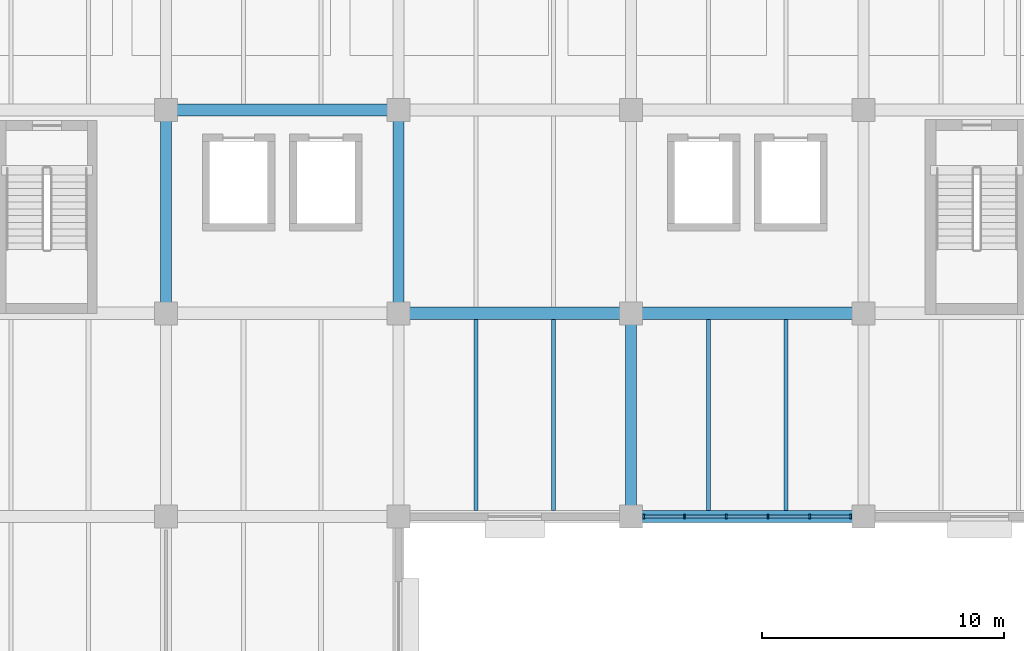
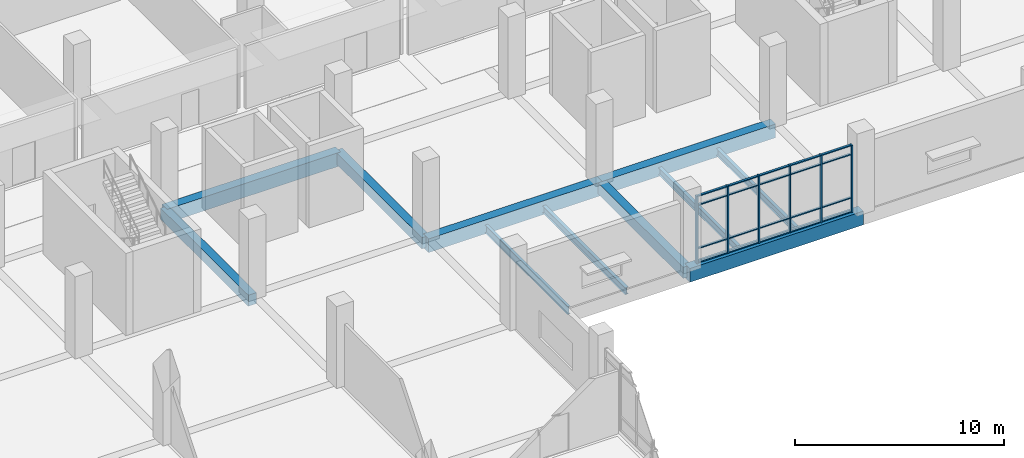
# One storey, part 72 of 152: 26 members, 11 beams, 1 element without a shape of its own.
"""IFC4 building model written with IfcOpenShell, lengths in metres."""

from ifc_helpers import new_model, si_unit, direction, frame, origin, origin_2d, place, context, subcontext, project, spatial, rectangle, i_section, extrude, material, material_profile, profile_set, type_object, element, aggregate, save


model = new_model("IFC4")

# Units and contexts
model_context = context("Model", 3, precision=1e-05, world=origin(), true_north=direction((0.0, 1.0)))
body_context = subcontext(model_context, "Body", "Model", "MODEL_VIEW")
ifc_project = project(units=[si_unit("LENGTHUNIT", "METRE"), si_unit("AREAUNIT", "SQUARE_METRE"), si_unit("VOLUMEUNIT", "CUBIC_METRE"), si_unit("PLANEANGLEUNIT", "RADIAN"), si_unit("MASSUNIT", "GRAM", prefix="KILO")], contexts=[model_context])

# Site, building, storey
site_placement = place(None, origin())
site = spatial("IfcSite", under=ifc_project, at=site_placement, CompositionType="ELEMENT")
building_placement = place(site_placement, origin())
building = spatial("IfcBuilding", under=site, at=building_placement, Name="Oolite Switchyard Hospital", CompositionType="ELEMENT")
storey_placement = place(building_placement, frame((0.0, 0.0, 5.10009765625)))
storey = spatial("IfcBuildingStorey", under=building, at=storey_placement, Name="L01", CompositionType="ELEMENT", Elevation=5.10009765625)

# Beams
ifc_material_1 = material(Name="Concrete C40/50", Category="concrete")
ifc_material_profile_1 = material_profile(ifc_material_1, rectangle(XDim=0.449951171875, YDim=0.64990234375, at=origin_2d()), Name="RCB450X650")
ifc_profile_set_1 = profile_set([ifc_material_profile_1], Name="Concrete C40/50")
beam_type_1 = type_object("IfcBeamType", Name="BM-RC450X650", PredefinedType="BEAM", material=ifc_profile_set_1)
for number, where, z_axis, x_axis, name in (
    (1, (163.199951171875, 109.199951171875, -0.3251953125), (0.0, 1.0, 0.0), (-1.0, 0.0, 0.0), "L01 Y-Girder 496"),
    (2, (172.800048828125, 109.199951171875, -0.3251953125), (0.0, 1.0, 0.0), (-1.0, 0.0, 0.0), "L01 Y-Girder 506"),
):
    element("IfcBeam", number, at=place(storey_placement, frame(where, z_axis=z_axis, x_axis=x_axis)), inside=storey, type_object=beam_type_1, Name=name, PredefinedType="BEAM", context=body_context, shape_type="SweptSolid", body=[
        extrude(rectangle(XDim=0.449951171875, YDim=0.64990234375, at=origin_2d()), origin(), (0.0, 0.0, 1.0), 8.400146484375),
    ])
beam_1_placement = place(storey_placement, frame((182.39990234375, 100.800048828125, -0.3251953125), z_axis=(0.0, 1.0, 0.0), x_axis=(-1.0, 0.0, 0.0)))
element("IfcBeam", 3, at=beam_1_placement, inside=storey, type_object=beam_type_1, Name="L01 Y-Girder 519", PredefinedType="BEAM", context=body_context, shape_type="SweptSolid", body=[
    extrude(rectangle(XDim=0.449951171875, YDim=0.64990234375, at=origin_2d()), origin(), (0.0, 0.0, 1.0), 8.39990234375),
])
ifc_material_profile_2 = material_profile(ifc_material_1, rectangle(XDim=0.5, YDim=0.800048828125, at=origin_2d()), Name="RCB500X800")
ifc_profile_set_2 = profile_set([ifc_material_profile_2], Name="Concrete C40/50")
beam_type_2 = type_object("IfcBeamType", Name="BM-RC500X800", PredefinedType="BEAM", material=ifc_profile_set_2)
beam_2_placement = place(storey_placement, frame((182.39990234375, 100.800048828125, -0.400146484375), z_axis=(1.0, 0.0, 0.0), x_axis=(0.0, 1.0, 0.0)))
element("IfcBeam", 4, at=beam_2_placement, inside=storey, type_object=beam_type_2, Name="L01 X-Girder 216", PredefinedType="BEAM", context=body_context, shape_type="SweptSolid", body=[
    extrude(rectangle(XDim=0.5, YDim=0.800048828125, at=origin_2d()), origin(), (0.0, 0.0, 1.0), 9.60009765625),
])
beam_3_placement = place(storey_placement, frame((172.800048828125, 109.199951171875, -0.400146484375), z_axis=(1.0, 0.0, 0.0), x_axis=(0.0, 1.0, 0.0)))
element("IfcBeam", 5, at=beam_3_placement, inside=storey, type_object=beam_type_2, Name="L01 X-Girder 235", PredefinedType="BEAM", context=body_context, shape_type="SweptSolid", body=[
    extrude(rectangle(XDim=0.5, YDim=0.800048828125, at=origin_2d()), origin(), (0.0, 0.0, 1.0), 9.599853515625),
])
for number, where, z_axis, x_axis, name in (
    (6, (182.39990234375, 109.199951171875, -0.400146484375), (1.0, 0.0, 0.0), (0.0, 1.0, 0.0), "L01 X-Girder 236"),
    (7, (163.199951171875, 117.60009765625, -0.400146484375), (1.0, 0.0, 0.0), (0.0, 1.0, 0.0), "L01 X-Girder 250"),
):
    element("IfcBeam", number, at=place(storey_placement, frame(where, z_axis=z_axis, x_axis=x_axis)), inside=storey, type_object=beam_type_2, Name=name, PredefinedType="BEAM", context=body_context, shape_type="SweptSolid", body=[
        extrude(rectangle(XDim=0.5, YDim=0.800048828125, at=origin_2d()), origin(), (0.0, 0.0, 1.0), 9.60009765625),
    ])
ifc_material_2 = material(Name="Steel ASTM A992 Grade 50", Category="steel")
ifc_material_profile_3 = material_profile(ifc_material_2, i_section(OverallWidth=0.177978515625, OverallDepth=0.403076171875, WebThickness=0.008056640625, FlangeThickness=0.010986328125, at=origin_2d()), Name="W16X36")
ifc_profile_set_3 = profile_set([ifc_material_profile_3], Name="Steel ASTM A992 Grade 50")
beam_type_3 = type_object("IfcBeamType", Name="BM-W16X36", PredefinedType="JOIST", material=ifc_profile_set_3)
beam_4_placement = place(storey_placement, frame((188.800048828125, 101.050048828125, -0.47705078125), z_axis=(0.0, 1.0, 0.0), x_axis=(-1.0, 0.0, 0.0)))
element("IfcBeam", 8, at=beam_4_placement, inside=storey, type_object=beam_type_3, Name="L01 Secondary Steel Joist 945", PredefinedType="JOIST", context=body_context, shape_type="SweptSolid", body=[
    extrude(i_section(OverallWidth=0.177978515625, OverallDepth=0.403076171875, WebThickness=0.008056640625, FlangeThickness=0.010986328125, at=origin_2d()), origin(), (0.0, 0.0, 1.0), 7.89990234375),
])
ifc_material_profile_4 = material_profile(ifc_material_2, i_section(OverallWidth=0.179931640625, OverallDepth=0.4130859375, WebThickness=0.010009765625, FlangeThickness=0.01611328125, at=origin_2d()), Name="W16X50")
ifc_profile_set_4 = profile_set([ifc_material_profile_4], Name="Steel ASTM A992 Grade 50")
beam_type_4 = type_object("IfcBeamType", Name="BM-W16X50", PredefinedType="JOIST", material=ifc_profile_set_4)
for number, where, z_axis, x_axis, name in (
    (9, (179.199951171875, 101.050048828125, -0.482177734375), (0.0, 1.0, 0.0), (-1.0, 0.0, 0.0), "L01 Secondary Steel Joist 921"),
    (10, (185.60009765625, 101.050048828125, -0.482177734375), (0.0, 1.0, 0.0), (-1.0, 0.0, 0.0), "L01 Secondary Steel Joist 944"),
):
    element("IfcBeam", number, at=place(storey_placement, frame(where, z_axis=z_axis, x_axis=x_axis)), inside=storey, type_object=beam_type_4, Name=name, PredefinedType="JOIST", context=body_context, shape_type="SweptSolid", body=[
        extrude(i_section(OverallWidth=0.179931640625, OverallDepth=0.4130859375, WebThickness=0.010009765625, FlangeThickness=0.01611328125, at=origin_2d()), origin(), (0.0, 0.0, 1.0), 7.89990234375),
    ])
ifc_material_profile_5 = material_profile(ifc_material_2, i_section(OverallWidth=0.153076171875, OverallDepth=0.455078125, WebThickness=0.008056640625, FlangeThickness=0.012939453125, at=origin_2d()), Name="W18X40")
ifc_profile_set_5 = profile_set([ifc_material_profile_5], Name="Steel ASTM A992 Grade 50")
beam_type_5 = type_object("IfcBeamType", Name="BM-W18X40", PredefinedType="JOIST", material=ifc_profile_set_5)
beam_5_placement = place(storey_placement, frame((176.0, 101.050048828125, -0.503173828125), z_axis=(0.0, 1.0, 0.0), x_axis=(-1.0, 0.0, 0.0)))
element("IfcBeam", 11, at=beam_5_placement, inside=storey, type_object=beam_type_5, Name="L01 Secondary Steel Joist 920", PredefinedType="JOIST", context=body_context, shape_type="SweptSolid", body=[
    extrude(i_section(OverallWidth=0.153076171875, OverallDepth=0.455078125, WebThickness=0.008056640625, FlangeThickness=0.012939453125, at=origin_2d()), origin(), (0.0, 0.0, 1.0), 7.89990234375),
])

# Curtain wall, members
ifc_material_3 = material(Name="Thermally broken aluminum frame with laminated impact glazing", Category="aluminium")
curtain_wall_type = type_object("IfcCurtainWallType", Name="CW-UNIT-96X48", PredefinedType="USERDEFINED", material=ifc_material_3)
curtain_wall_placement = place(storey_placement, origin())
curtain_wall = element("IfcCurtainWall", 12, at=curtain_wall_placement, inside=storey, type_object=curtain_wall_type, Name="L01 Unitised Curtain Wall 144", ObjectType="UNITISED", PredefinedType="USERDEFINED")
ifc_material_4 = material(Name="Aluminium 6063-T6", Category="aluminium")
ifc_material_profile_6 = material_profile(ifc_material_4, rectangle(XDim=0.179931640625, YDim=0.070068359375, at=origin_2d()), Name="CWM70X180")
ifc_profile_set_6 = profile_set([ifc_material_profile_6], Name="Aluminium 6063-T6")
member_type_1 = type_object("IfcMemberType", Name="CW-MUL-220", PredefinedType="MULLION", material=ifc_profile_set_6)
member_1_placement = place(storey_placement, frame((191.47509765625, 100.800048828125, 0.0), z_axis=(0.0, 0.0, 1.0), x_axis=(0.0, -1.0, 0.0)))
member_1 = element("IfcMember", 13, at=member_1_placement, type_object=member_type_1, Name="CW-02 mullion 1", PredefinedType="MULLION", context=body_context, shape_type="SweptSolid", body=[
    extrude(rectangle(XDim=0.179931640625, YDim=0.070068359375, at=origin_2d()), origin(), (0.0, 0.0, 1.0), 3.93994140625),
])
member_2_placement = place(storey_placement, frame((189.785888671875, 100.800048828125, 0.0), z_axis=(0.0, 0.0, 1.0), x_axis=(0.0, -1.0, 0.0)))
member_2 = element("IfcMember", 14, at=member_2_placement, type_object=member_type_1, Name="CW-02 mullion 2", PredefinedType="MULLION", context=body_context, shape_type="SweptSolid", body=[
    extrude(rectangle(XDim=0.179931640625, YDim=0.070068359375, at=origin_2d()), origin(), (0.0, 0.0, 1.0), 3.93994140625),
])
member_3_placement = place(storey_placement, frame((188.06201171875, 100.800048828125, 0.0), z_axis=(0.0, 0.0, 1.0), x_axis=(0.0, -1.0, 0.0)))
member_3 = element("IfcMember", 15, at=member_3_placement, type_object=member_type_1, Name="CW-02 mullion 3", PredefinedType="MULLION", context=body_context, shape_type="SweptSolid", body=[
    extrude(rectangle(XDim=0.179931640625, YDim=0.070068359375, at=origin_2d()), origin(), (0.0, 0.0, 1.0), 3.93994140625),
])
member_4_placement = place(storey_placement, frame((186.337890625, 100.800048828125, 0.0), z_axis=(0.0, 0.0, 1.0), x_axis=(0.0, -1.0, 0.0)))
member_4 = element("IfcMember", 16, at=member_4_placement, type_object=member_type_1, Name="CW-02 mullion 4", PredefinedType="MULLION", context=body_context, shape_type="SweptSolid", body=[
    extrude(rectangle(XDim=0.179931640625, YDim=0.070068359375, at=origin_2d()), origin(), (0.0, 0.0, 1.0), 3.93994140625),
])
member_5_placement = place(storey_placement, frame((184.614013671875, 100.800048828125, 0.0), z_axis=(0.0, 0.0, 1.0), x_axis=(0.0, -1.0, 0.0)))
member_5 = element("IfcMember", 17, at=member_5_placement, type_object=member_type_1, Name="CW-02 mullion 5", PredefinedType="MULLION", context=body_context, shape_type="SweptSolid", body=[
    extrude(rectangle(XDim=0.179931640625, YDim=0.070068359375, at=origin_2d()), origin(), (0.0, 0.0, 1.0), 3.93994140625),
])
member_6_placement = place(storey_placement, frame((182.925048828125, 100.800048828125, 0.0), z_axis=(0.0, 0.0, 1.0), x_axis=(0.0, -1.0, 0.0)))
member_6 = element("IfcMember", 18, at=member_6_placement, type_object=member_type_1, Name="CW-02 mullion 6", PredefinedType="MULLION", context=body_context, shape_type="SweptSolid", body=[
    extrude(rectangle(XDim=0.179931640625, YDim=0.070068359375, at=origin_2d()), origin(), (0.0, 0.0, 1.0), 3.93994140625),
])
ifc_material_profile_7 = material_profile(ifc_material_4, rectangle(XDim=0.1201171875, YDim=0.06005859375, at=origin_2d()), Name="CWT60X120")
ifc_profile_set_7 = profile_set([ifc_material_profile_7], Name="Aluminium 6063-T6")
member_type_2 = type_object("IfcMemberType", Name="CW-TRN-150", PredefinedType="USERDEFINED", material=ifc_profile_set_7)
member_7_placement = place(storey_placement, frame((191.43994140625, 100.800048828125, 0.02978515625), z_axis=(-1.0, 0.0, 0.0), x_axis=(0.0, -1.0, 0.0)))
member_7 = element("IfcMember", 19, at=member_7_placement, type_object=member_type_2, Name="CW-02 transom 1.1", ObjectType="TRANSOM", PredefinedType="USERDEFINED", context=body_context, shape_type="SweptSolid", body=[
    extrude(rectangle(XDim=0.1201171875, YDim=0.06005859375, at=origin_2d()), origin(), (0.0, 0.0, 1.0), 1.618896484375),
])
member_8_placement = place(storey_placement, frame((191.43994140625, 100.800048828125, 0.849853515625), z_axis=(-1.0, 0.0, 0.0), x_axis=(0.0, -1.0, 0.0)))
member_8 = element("IfcMember", 20, at=member_8_placement, type_object=member_type_2, Name="CW-02 transom 1.2", ObjectType="TRANSOM", PredefinedType="USERDEFINED", context=body_context, shape_type="SweptSolid", body=[
    extrude(rectangle(XDim=0.1201171875, YDim=0.06005859375, at=origin_2d()), origin(), (0.0, 0.0, 1.0), 1.618896484375),
])
member_9_placement = place(storey_placement, frame((191.43994140625, 100.800048828125, 3.389892578125), z_axis=(-1.0, 0.0, 0.0), x_axis=(0.0, -1.0, 0.0)))
member_9 = element("IfcMember", 21, at=member_9_placement, type_object=member_type_2, Name="CW-02 transom 1.3", ObjectType="TRANSOM", PredefinedType="USERDEFINED", context=body_context, shape_type="SweptSolid", body=[
    extrude(rectangle(XDim=0.1201171875, YDim=0.06005859375, at=origin_2d()), origin(), (0.0, 0.0, 1.0), 1.618896484375),
])
member_10_placement = place(storey_placement, frame((191.43994140625, 100.800048828125, 3.909912109375), z_axis=(-1.0, 0.0, 0.0), x_axis=(0.0, -1.0, 0.0)))
member_10 = element("IfcMember", 22, at=member_10_placement, type_object=member_type_2, Name="CW-02 transom 1.4", ObjectType="TRANSOM", PredefinedType="USERDEFINED", context=body_context, shape_type="SweptSolid", body=[
    extrude(rectangle(XDim=0.1201171875, YDim=0.06005859375, at=origin_2d()), origin(), (0.0, 0.0, 1.0), 1.618896484375),
])
member_11_placement = place(storey_placement, frame((189.7509765625, 100.800048828125, 0.02978515625), z_axis=(-1.0, 0.0, 0.0), x_axis=(0.0, -1.0, 0.0)))
member_11 = element("IfcMember", 23, at=member_11_placement, type_object=member_type_2, Name="CW-02 transom 2.1", ObjectType="TRANSOM", PredefinedType="USERDEFINED", context=body_context, shape_type="SweptSolid", body=[
    extrude(rectangle(XDim=0.1201171875, YDim=0.06005859375, at=origin_2d()), origin(), (0.0, 0.0, 1.0), 1.654052734375),
])
member_12_placement = place(storey_placement, frame((189.7509765625, 100.800048828125, 0.849853515625), z_axis=(-1.0, 0.0, 0.0), x_axis=(0.0, -1.0, 0.0)))
member_12 = element("IfcMember", 24, at=member_12_placement, type_object=member_type_2, Name="CW-02 transom 2.2", ObjectType="TRANSOM", PredefinedType="USERDEFINED", context=body_context, shape_type="SweptSolid", body=[
    extrude(rectangle(XDim=0.1201171875, YDim=0.06005859375, at=origin_2d()), origin(), (0.0, 0.0, 1.0), 1.654052734375),
])
member_13_placement = place(storey_placement, frame((189.7509765625, 100.800048828125, 3.389892578125), z_axis=(-1.0, 0.0, 0.0), x_axis=(0.0, -1.0, 0.0)))
member_13 = element("IfcMember", 25, at=member_13_placement, type_object=member_type_2, Name="CW-02 transom 2.3", ObjectType="TRANSOM", PredefinedType="USERDEFINED", context=body_context, shape_type="SweptSolid", body=[
    extrude(rectangle(XDim=0.1201171875, YDim=0.06005859375, at=origin_2d()), origin(), (0.0, 0.0, 1.0), 1.654052734375),
])
member_14_placement = place(storey_placement, frame((189.7509765625, 100.800048828125, 3.909912109375), z_axis=(-1.0, 0.0, 0.0), x_axis=(0.0, -1.0, 0.0)))
member_14 = element("IfcMember", 26, at=member_14_placement, type_object=member_type_2, Name="CW-02 transom 2.4", ObjectType="TRANSOM", PredefinedType="USERDEFINED", context=body_context, shape_type="SweptSolid", body=[
    extrude(rectangle(XDim=0.1201171875, YDim=0.06005859375, at=origin_2d()), origin(), (0.0, 0.0, 1.0), 1.654052734375),
])
member_15_placement = place(storey_placement, frame((188.027099609375, 100.800048828125, 0.02978515625), z_axis=(-1.0, 0.0, 0.0), x_axis=(0.0, -1.0, 0.0)))
member_15 = element("IfcMember", 27, at=member_15_placement, type_object=member_type_2, Name="CW-02 transom 3.1", ObjectType="TRANSOM", PredefinedType="USERDEFINED", context=body_context, shape_type="SweptSolid", body=[
    extrude(rectangle(XDim=0.1201171875, YDim=0.06005859375, at=origin_2d()), origin(), (0.0, 0.0, 1.0), 1.654052734375),
])
member_16_placement = place(storey_placement, frame((188.027099609375, 100.800048828125, 0.849853515625), z_axis=(-1.0, 0.0, 0.0), x_axis=(0.0, -1.0, 0.0)))
member_16 = element("IfcMember", 28, at=member_16_placement, type_object=member_type_2, Name="CW-02 transom 3.2", ObjectType="TRANSOM", PredefinedType="USERDEFINED", context=body_context, shape_type="SweptSolid", body=[
    extrude(rectangle(XDim=0.1201171875, YDim=0.06005859375, at=origin_2d()), origin(), (0.0, 0.0, 1.0), 1.654052734375),
])
member_17_placement = place(storey_placement, frame((188.027099609375, 100.800048828125, 3.389892578125), z_axis=(-1.0, 0.0, 0.0), x_axis=(0.0, -1.0, 0.0)))
member_17 = element("IfcMember", 29, at=member_17_placement, type_object=member_type_2, Name="CW-02 transom 3.3", ObjectType="TRANSOM", PredefinedType="USERDEFINED", context=body_context, shape_type="SweptSolid", body=[
    extrude(rectangle(XDim=0.1201171875, YDim=0.06005859375, at=origin_2d()), origin(), (0.0, 0.0, 1.0), 1.654052734375),
])
member_18_placement = place(storey_placement, frame((188.027099609375, 100.800048828125, 3.909912109375), z_axis=(-1.0, 0.0, 0.0), x_axis=(0.0, -1.0, 0.0)))
member_18 = element("IfcMember", 30, at=member_18_placement, type_object=member_type_2, Name="CW-02 transom 3.4", ObjectType="TRANSOM", PredefinedType="USERDEFINED", context=body_context, shape_type="SweptSolid", body=[
    extrude(rectangle(XDim=0.1201171875, YDim=0.06005859375, at=origin_2d()), origin(), (0.0, 0.0, 1.0), 1.654052734375),
])
member_19_placement = place(storey_placement, frame((186.302978515625, 100.800048828125, 0.02978515625), z_axis=(-1.0, 0.0, 0.0), x_axis=(0.0, -1.0, 0.0)))
member_19 = element("IfcMember", 31, at=member_19_placement, type_object=member_type_2, Name="CW-02 transom 4.1", ObjectType="TRANSOM", PredefinedType="USERDEFINED", context=body_context, shape_type="SweptSolid", body=[
    extrude(rectangle(XDim=0.1201171875, YDim=0.06005859375, at=origin_2d()), origin(), (0.0, 0.0, 1.0), 1.654052734375),
])
member_20_placement = place(storey_placement, frame((186.302978515625, 100.800048828125, 0.849853515625), z_axis=(-1.0, 0.0, 0.0), x_axis=(0.0, -1.0, 0.0)))
member_20 = element("IfcMember", 32, at=member_20_placement, type_object=member_type_2, Name="CW-02 transom 4.2", ObjectType="TRANSOM", PredefinedType="USERDEFINED", context=body_context, shape_type="SweptSolid", body=[
    extrude(rectangle(XDim=0.1201171875, YDim=0.06005859375, at=origin_2d()), origin(), (0.0, 0.0, 1.0), 1.654052734375),
])
member_21_placement = place(storey_placement, frame((186.302978515625, 100.800048828125, 3.389892578125), z_axis=(-1.0, 0.0, 0.0), x_axis=(0.0, -1.0, 0.0)))
member_21 = element("IfcMember", 33, at=member_21_placement, type_object=member_type_2, Name="CW-02 transom 4.3", ObjectType="TRANSOM", PredefinedType="USERDEFINED", context=body_context, shape_type="SweptSolid", body=[
    extrude(rectangle(XDim=0.1201171875, YDim=0.06005859375, at=origin_2d()), origin(), (0.0, 0.0, 1.0), 1.654052734375),
])
member_22_placement = place(storey_placement, frame((186.302978515625, 100.800048828125, 3.909912109375), z_axis=(-1.0, 0.0, 0.0), x_axis=(0.0, -1.0, 0.0)))
member_22 = element("IfcMember", 34, at=member_22_placement, type_object=member_type_2, Name="CW-02 transom 4.4", ObjectType="TRANSOM", PredefinedType="USERDEFINED", context=body_context, shape_type="SweptSolid", body=[
    extrude(rectangle(XDim=0.1201171875, YDim=0.06005859375, at=origin_2d()), origin(), (0.0, 0.0, 1.0), 1.654052734375),
])
member_23_placement = place(storey_placement, frame((184.5791015625, 100.800048828125, 0.02978515625), z_axis=(-1.0, 0.0, 0.0), x_axis=(0.0, -1.0, 0.0)))
member_23 = element("IfcMember", 35, at=member_23_placement, type_object=member_type_2, Name="CW-02 transom 5.1", ObjectType="TRANSOM", PredefinedType="USERDEFINED", context=body_context, shape_type="SweptSolid", body=[
    extrude(rectangle(XDim=0.1201171875, YDim=0.06005859375, at=origin_2d()), origin(), (0.0, 0.0, 1.0), 1.619140625),
])
member_24_placement = place(storey_placement, frame((184.5791015625, 100.800048828125, 0.849853515625), z_axis=(-1.0, 0.0, 0.0), x_axis=(0.0, -1.0, 0.0)))
member_24 = element("IfcMember", 36, at=member_24_placement, type_object=member_type_2, Name="CW-02 transom 5.2", ObjectType="TRANSOM", PredefinedType="USERDEFINED", context=body_context, shape_type="SweptSolid", body=[
    extrude(rectangle(XDim=0.1201171875, YDim=0.06005859375, at=origin_2d()), origin(), (0.0, 0.0, 1.0), 1.619140625),
])
member_25_placement = place(storey_placement, frame((184.5791015625, 100.800048828125, 3.389892578125), z_axis=(-1.0, 0.0, 0.0), x_axis=(0.0, -1.0, 0.0)))
member_25 = element("IfcMember", 37, at=member_25_placement, type_object=member_type_2, Name="CW-02 transom 5.3", ObjectType="TRANSOM", PredefinedType="USERDEFINED", context=body_context, shape_type="SweptSolid", body=[
    extrude(rectangle(XDim=0.1201171875, YDim=0.06005859375, at=origin_2d()), origin(), (0.0, 0.0, 1.0), 1.619140625),
])
member_26_placement = place(storey_placement, frame((184.5791015625, 100.800048828125, 3.909912109375), z_axis=(-1.0, 0.0, 0.0), x_axis=(0.0, -1.0, 0.0)))
member_26 = element("IfcMember", 38, at=member_26_placement, type_object=member_type_2, Name="CW-02 transom 5.4", ObjectType="TRANSOM", PredefinedType="USERDEFINED", context=body_context, shape_type="SweptSolid", body=[
    extrude(rectangle(XDim=0.1201171875, YDim=0.06005859375, at=origin_2d()), origin(), (0.0, 0.0, 1.0), 1.619140625),
])
aggregate(curtain_wall, [member_1, member_2, member_3, member_4, member_5, member_6, member_7, member_8, member_9, member_10, member_11, member_12, member_13, member_14, member_15, member_16, member_17, member_18, member_19, member_20, member_21, member_22, member_23, member_24, member_25, member_26])

save(model, "model.ifc")
